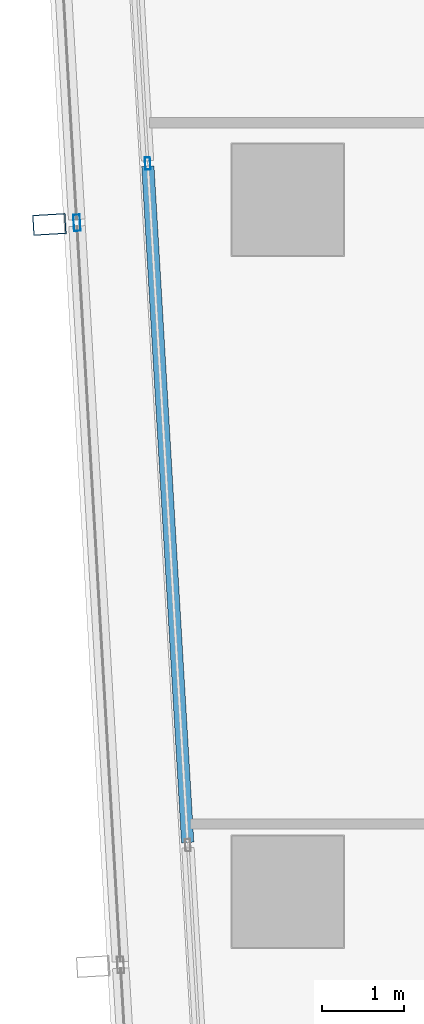
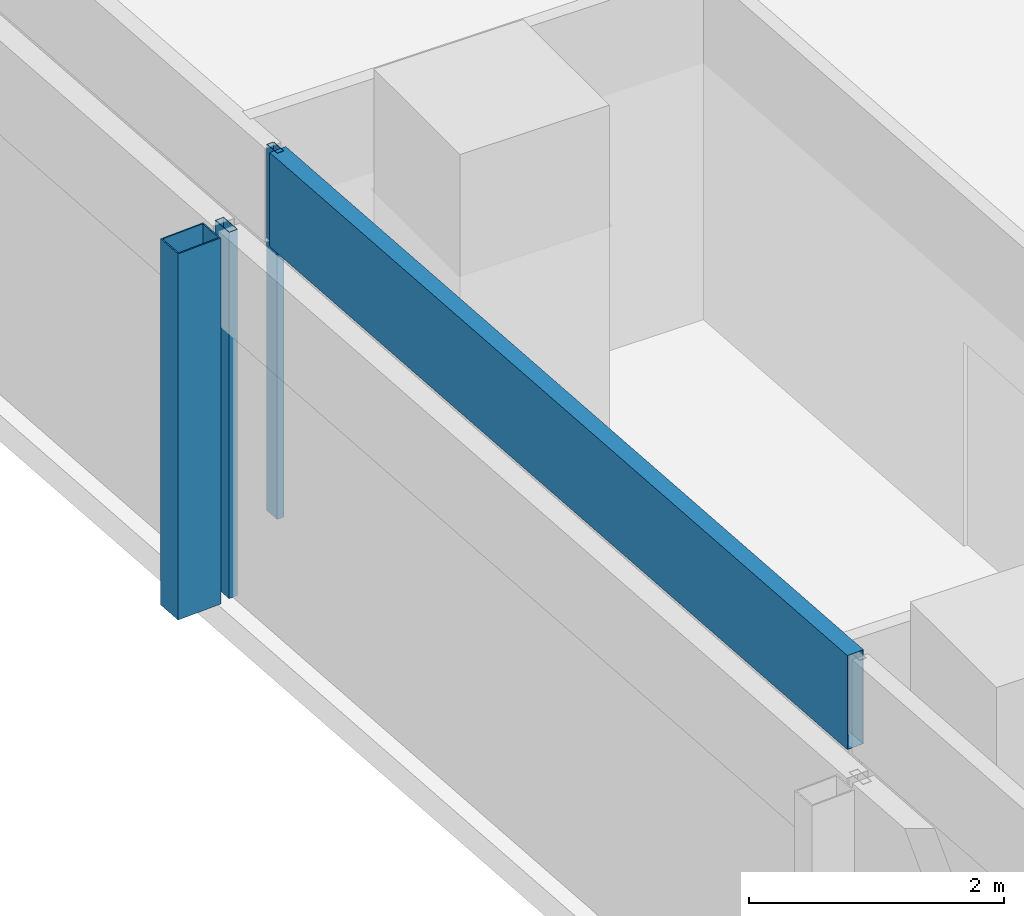
# One storey, part 8 of 38: 4 members, 2 elements without a shape of their own.
"""IFC4 building model written with IfcOpenShell, lengths in metres."""

from ifc_helpers import new_model, si_unit, direction, frame, origin, origin_2d, place, context, subcontext, project, spatial, hollow_rectangle, extrude, material, material_profile, profile_set, type_object, element, aggregate, save


model = new_model("IFC4")

# Units and contexts
model_context = context("Model", 3, precision=1e-05, world=origin(), true_north=direction((0.0, 1.0)))
body_context = subcontext(model_context, "Body", "Model", "MODEL_VIEW")
ifc_project = project(units=[si_unit("LENGTHUNIT", "METRE"), si_unit("AREAUNIT", "SQUARE_METRE"), si_unit("VOLUMEUNIT", "CUBIC_METRE"), si_unit("PLANEANGLEUNIT", "RADIAN"), si_unit("MASSUNIT", "GRAM", prefix="KILO")], contexts=[model_context])

# Site, building, storey
site_placement = place(None, origin())
site = spatial("IfcSite", under=ifc_project, at=site_placement, CompositionType="ELEMENT")
building_placement = place(site_placement, origin())
building = spatial("IfcBuilding", under=site, at=building_placement, Name="Rekha Terrace Tower", CompositionType="ELEMENT")
storey_placement = place(building_placement, frame((0.0, 0.0, 198.949951171875)))
storey = spatial("IfcBuildingStorey", under=building, at=storey_placement, Name="L50", CompositionType="ELEMENT", Elevation=198.949951171875)

# Curtain wall, member
ifc_material_1 = material(Name="Aluminium framing", Category="aluminium")
curtain_wall_type_1 = type_object("IfcCurtainWallType", Name="CW2 double skin outer glazing", PredefinedType="USERDEFINED", material=ifc_material_1)
curtain_wall_1_placement = place(storey_placement, origin())
curtain_wall_1 = element("IfcCurtainWall", 1, at=curtain_wall_1_placement, inside=storey, type_object=curtain_wall_type_1, Name="CW2 double skin outer glazing", ObjectType="DOUBLE SKIN OUTER GLAZING", PredefinedType="USERDEFINED")
ifc_material_2 = material(Name="Steel S355 with fluorocarbon finish", Category="steel")
ifc_material_profile_1 = material_profile(ifc_material_2, hollow_rectangle(XDim=0.25, YDim=0.39990234375, WallThickness=0.012451171875, at=origin_2d()), Name="RHS400x250x12.5")
ifc_profile_set_1 = profile_set([ifc_material_profile_1], Name="Steel S355 with fluorocarbon finish")
member_type_1 = type_object("IfcMemberType", Name="BL1 facade blade RHS 400 x 250", PredefinedType="USERDEFINED", material=ifc_profile_set_1)
member_1_placement = place(storey_placement, frame((5.50634765625, 33.300048828125, 0.0), z_axis=(0.0, 0.0, 1.0), x_axis=(0.058764522885, -0.998271872212, 0.0)))
member_1 = element("IfcMember", 2, at=member_1_placement, type_object=member_type_1, Name="Facade blade", ObjectType="FACADE BLADE", PredefinedType="USERDEFINED", context=body_context, shape_type="SweptSolid", body=[
    extrude(hollow_rectangle(XDim=0.25, YDim=0.39990234375, WallThickness=0.012451171875, at=origin_2d()), origin(), (0.0, 0.0, 1.0), 3.5),
])

# Curtain wall, members
curtain_wall_type_2 = type_object("IfcCurtainWallType", Name="CW1 double skin inner glazing", PredefinedType="USERDEFINED", material=ifc_material_1)
curtain_wall_2_placement = place(storey_placement, origin())
curtain_wall_2 = element("IfcCurtainWall", 3, at=curtain_wall_2_placement, inside=storey, type_object=curtain_wall_type_2, Name="CW1 double skin inner glazing", ObjectType="DOUBLE SKIN INNER GLAZING", PredefinedType="USERDEFINED")
ifc_material_3 = material(Name="Aluminium mullion section", Category="aluminium")
ifc_material_profile_2 = material_profile(ifc_material_3, hollow_rectangle(XDim=0.06494140625, YDim=0.14990234375, WallThickness=0.00390625, at=origin_2d()), Name="AL RHS 65x150")
ifc_profile_set_2 = profile_set([ifc_material_profile_2], Name="Aluminium mullion section")
member_type_2 = type_object("IfcMemberType", Name="CW1 mullion RHS 65 x 150", PredefinedType="MULLION", material=ifc_profile_set_2)
member_2_placement = place(storey_placement, frame((6.69970703125, 34.040283203125, 0.0), z_axis=(0.0, 0.0, 1.0), x_axis=(0.998271839269, 0.058765082516, 0.0)))
member_2 = element("IfcMember", 4, at=member_2_placement, type_object=member_type_2, Name="CW1 mullion 2", PredefinedType="MULLION", context=body_context, shape_type="SweptSolid", body=[
    extrude(hollow_rectangle(XDim=0.06494140625, YDim=0.14990234375, WallThickness=0.00390625, at=origin_2d()), origin(), (0.0, 0.0, 1.0), 3.5),
])
ifc_material_4 = material(Name="Insulated aluminium spandrel box", Category="aluminium")
ifc_material_profile_3 = material_profile(ifc_material_4, hollow_rectangle(XDim=0.14990234375, YDim=0.89990234375, WallThickness=0.0029296875, at=origin_2d()), Name="AL SPANDREL BOX 150x900")
ifc_profile_set_3 = profile_set([ifc_material_profile_3], Name="Insulated aluminium spandrel box")
member_type_3 = type_object("IfcMemberType", Name="CW1 spandrel transom 150 x 900", PredefinedType="USERDEFINED", material=ifc_profile_set_3)
member_3_placement = place(storey_placement, frame((6.70166015625, 34.0078125, 3.050048828125), z_axis=(0.058782934148, -0.99827078824, 0.0), x_axis=(0.99827078824, 0.058782934148, 0.0)))
member_3 = element("IfcMember", 5, at=member_3_placement, type_object=member_type_3, Name="CW1 spandrel transom 2", ObjectType="TRANSOM", PredefinedType="USERDEFINED", context=body_context, shape_type="SweptSolid", body=[
    extrude(hollow_rectangle(XDim=0.14990234375, YDim=0.89990234375, WallThickness=0.0029296875, at=origin_2d()), origin(), (0.0, 0.0, 1.0), 8.223388671875),
])
aggregate(curtain_wall_2, [member_2, member_3])

# Member
ifc_material_profile_4 = material_profile(ifc_material_3, hollow_rectangle(XDim=0.080078125, YDim=0.199951171875, WallThickness=0.00390625, at=origin_2d()), Name="AL RHS 80x200")
ifc_profile_set_4 = profile_set([ifc_material_profile_4], Name="Aluminium mullion section")
member_type_4 = type_object("IfcMemberType", Name="CW2 mullion RHS 80 x 200", PredefinedType="MULLION", material=ifc_profile_set_4)
member_4_placement = place(storey_placement, frame((5.840576171875, 33.31982421875, 0.0), z_axis=(0.0, 0.0, 1.0), x_axis=(0.99827183927, 0.058765082499, 0.0)))
member_4 = element("IfcMember", 6, at=member_4_placement, type_object=member_type_4, Name="CW2 mullion 2", PredefinedType="MULLION", context=body_context, shape_type="SweptSolid", body=[
    extrude(hollow_rectangle(XDim=0.080078125, YDim=0.199951171875, WallThickness=0.00390625, at=origin_2d()), origin(), (0.0, 0.0, 1.0), 3.5),
])

aggregate(curtain_wall_1, [member_4, member_1])

save(model, "model.ifc")
